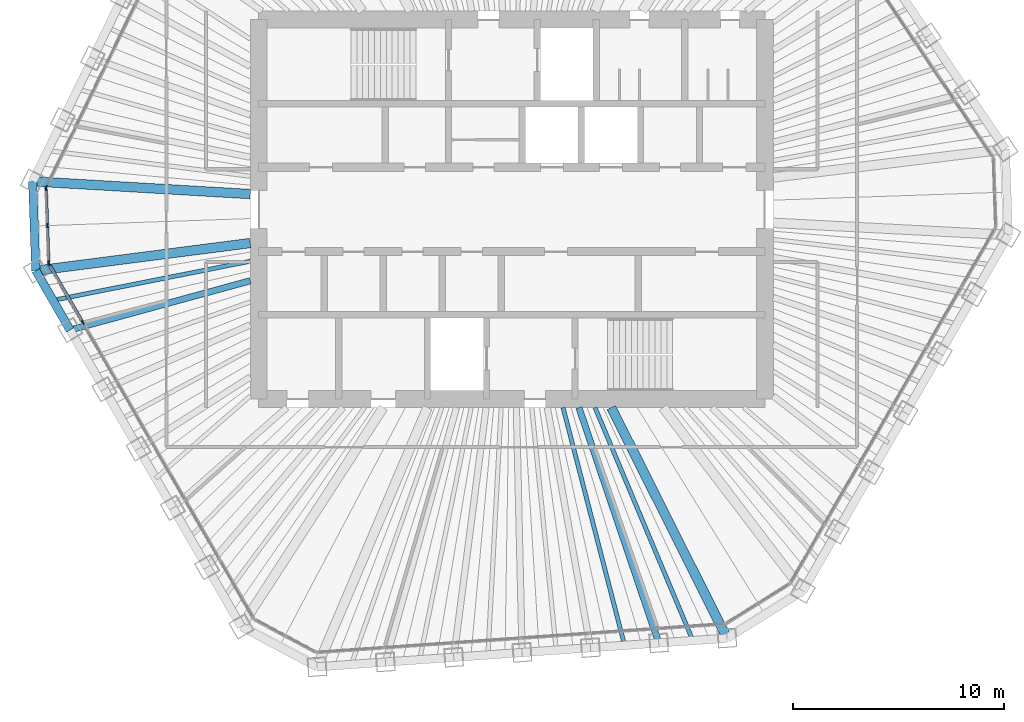
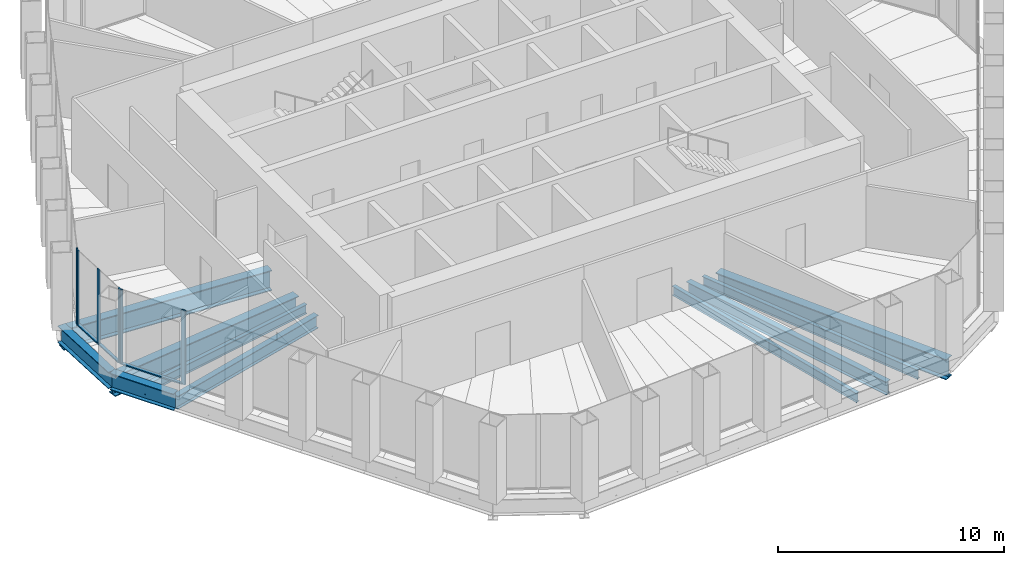
# One storey, part 3 of 14: 10 beams, 9 members, 3 elements without a shape of their own.
"""IFC4 building model written with IfcOpenShell, lengths in metres."""

from ifc_helpers import new_model, si_unit, direction, frame, origin, origin_2d, place, context, subcontext, project, spatial, rectangle, i_section, extrude, material, material_profile, profile_set, type_object, element, aggregate, save


model = new_model("IFC4")

# Units and contexts
model_context = context("Model", 3, precision=1e-05, world=origin(), true_north=direction((0.0, 1.0)))
body_context = subcontext(model_context, "Body", "Model", "MODEL_VIEW")
ifc_project = project(units=[si_unit("LENGTHUNIT", "METRE"), si_unit("AREAUNIT", "SQUARE_METRE"), si_unit("VOLUMEUNIT", "CUBIC_METRE"), si_unit("PLANEANGLEUNIT", "RADIAN"), si_unit("MASSUNIT", "GRAM", prefix="KILO")], contexts=[model_context])

# Site, building, storey
site_placement = place(None, origin())
site = spatial("IfcSite", under=ifc_project, at=site_placement, CompositionType="ELEMENT")
building_placement = place(site_placement, origin())
building = spatial("IfcBuilding", under=site, at=building_placement, Name="Qingtian Harvest Tower", CompositionType="ELEMENT")
storey_placement = place(building_placement, frame((0.0, 0.0, 320.800048828125)))
storey = spatial("IfcBuildingStorey", under=building, at=storey_placement, Name="L71", CompositionType="ELEMENT", Elevation=320.800048828125)

# Beams
ifc_material_1 = material(Name="Steel SM570MC", Category="steel")
ifc_material_profile_1 = material_profile(ifc_material_1, i_section(OverallWidth=0.449951171875, OverallDepth=1.10009765625, WebThickness=0.02197265625, FlangeThickness=0.044921875, at=origin_2d()), Name="H1100x450x22x45")
ifc_profile_set_1 = profile_set([ifc_material_profile_1], Name="Steel SM570MC")
beam_type_1 = type_object("IfcBeamType", Name="Corner floor beam FB8 H1100x450x22x45", PredefinedType="BEAM", material=ifc_profile_set_1)
beam_1_placement = place(storey_placement, frame((10.20947265625, -20.33740234375, -0.719970703125), z_axis=(-0.448649335107, 0.893707879627, 0.0), x_axis=(-0.893707879627, -0.448649335107, 0.0)))
element("IfcBeam", 1, at=beam_1_placement, inside=storey, type_object=beam_type_1, Name="Floor beam FB8 S0", PredefinedType="BEAM", context=body_context, shape_type="SweptSolid", body=[
    extrude(i_section(OverallWidth=0.449951171875, OverallDepth=1.10009765625, WebThickness=0.02197265625, FlangeThickness=0.044921875, at=origin_2d()), origin(), (0.0, 0.0, 1.0), 12.23828125),
])
beam_2_placement = place(storey_placement, frame((-22.569580078125, -2.908447265625, -0.719970703125), z_axis=(0.991798519758, 0.127811174026, 0.0), x_axis=(-0.127811174026, 0.991798519758, 0.0)))
element("IfcBeam", 2, at=beam_2_placement, inside=storey, type_object=beam_type_1, Name="Floor beam FB8 SW6", PredefinedType="BEAM", context=body_context, shape_type="SweptSolid", body=[
    extrude(i_section(OverallWidth=0.449951171875, OverallDepth=1.10009765625, WebThickness=0.02197265625, FlangeThickness=0.044921875, at=origin_2d()), origin(), (0.0, 0.0, 1.0), 10.253662109375),
])
beam_3_placement = place(storey_placement, frame((-22.71728515625, 1.3271484375, -0.719970703125), z_axis=(0.998297672445, -0.058324584791, 0.0), x_axis=(0.058324584791, 0.998297672445, 0.0)))
element("IfcBeam", 3, at=beam_3_placement, inside=storey, type_object=beam_type_1, Name="Floor beam FB8 NW0", PredefinedType="BEAM", context=body_context, shape_type="SweptSolid", body=[
    extrude(i_section(OverallWidth=0.449951171875, OverallDepth=1.10009765625, WebThickness=0.02197265625, FlangeThickness=0.044921875, at=origin_2d()), origin(), (0.0, 0.0, 1.0), 10.3349609375),
])
ifc_material_2 = material(Name="Steel SN490B", Category="steel")
ifc_material_profile_2 = material_profile(ifc_material_2, i_section(OverallWidth=0.300048828125, OverallDepth=0.699951171875, WebThickness=0.012939453125, FlangeThickness=0.02392578125, at=origin_2d()), Name="H700x300x13x24")
ifc_profile_set_2 = profile_set([ifc_material_profile_2], Name="Steel SN490B")
beam_type_2 = type_object("IfcBeamType", Name="Floor beam FB4 H700x300x13x24", PredefinedType="BEAM", material=ifc_profile_set_2)
beam_4_placement = place(storey_placement, frame((6.96923828125, -20.56396484375, -0.52001953125), z_axis=(-0.320964658262, 0.947091172035, 0.0), x_axis=(-0.947091172035, -0.320964658262, 0.0)))
element("IfcBeam", 4, at=beam_4_placement, inside=storey, type_object=beam_type_2, Name="Floor beam FB4 S1", PredefinedType="BEAM", context=body_context, shape_type="SweptSolid", body=[
    extrude(i_section(OverallWidth=0.300048828125, OverallDepth=0.699951171875, WebThickness=0.012939453125, FlangeThickness=0.02392578125, at=origin_2d()), origin(), (0.0, 0.0, 1.0), 11.787841796875),
])
beam_5_placement = place(storey_placement, frame((-20.945556640625, -5.721435546875, -0.52001953125), z_axis=(0.96466071762, 0.26349516102, 0.0), x_axis=(-0.26349516102, 0.96466071762, 0.0)))
element("IfcBeam", 5, at=beam_5_placement, inside=storey, type_object=beam_type_2, Name="Floor beam FB4 SW5", PredefinedType="BEAM", context=body_context, shape_type="SweptSolid", body=[
    extrude(i_section(OverallWidth=0.300048828125, OverallDepth=0.699951171875, WebThickness=0.012939453125, FlangeThickness=0.02392578125, at=origin_2d()), origin(), (0.0, 0.0, 1.0), 8.858642578125),
])
ifc_material_3 = material(Name="Steel SN490B", Category="steel")
ifc_material_profile_3 = material_profile(ifc_material_3, i_section(OverallWidth=0.199951171875, OverallDepth=0.5, WebThickness=0.010009765625, FlangeThickness=0.01611328125, at=origin_2d()), Name="H500x200x10x16")
ifc_profile_set_3 = profile_set([ifc_material_profile_3], Name="Steel SN490B")
beam_type_3 = type_object("IfcBeamType", Name="Floor joist J3 H500x200x10x16", PredefinedType="JOIST", material=ifc_profile_set_3)
beam_6_placement = place(storey_placement, frame((8.58935546875, -20.45068359375, -0.420166015625), z_axis=(-0.387234562114, 0.921981232946, 0.0), x_axis=(-0.921981232946, -0.387234562114, 0.0)))
element("IfcBeam", 6, at=beam_6_placement, inside=storey, type_object=beam_type_3, Name="Floor joist J3 S0", PredefinedType="JOIST", context=body_context, shape_type="SweptSolid", body=[
    extrude(i_section(OverallWidth=0.199951171875, OverallDepth=0.5, WebThickness=0.010009765625, FlangeThickness=0.01611328125, at=origin_2d()), origin(), (0.0, 0.0, 1.0), 11.98583984375),
])
beam_7_placement = place(storey_placement, frame((5.349365234375, -20.67724609375, -0.420166015625), z_axis=(-0.250457336117, 0.968127637652, 0.0), x_axis=(-0.968127637652, -0.250457336117, 0.0)))
element("IfcBeam", 7, at=beam_7_placement, inside=storey, type_object=beam_type_3, Name="Floor joist J3 S1", PredefinedType="JOIST", context=body_context, shape_type="SweptSolid", body=[
    extrude(i_section(OverallWidth=0.199951171875, OverallDepth=0.5, WebThickness=0.010009765625, FlangeThickness=0.01611328125, at=origin_2d()), origin(), (0.0, 0.0, 1.0), 11.648681640625),
])
beam_8_placement = place(storey_placement, frame((-21.757568359375, -4.31494140625, -0.420166015625), z_axis=(0.980898289228, 0.194521325796, 0.0), x_axis=(-0.194521325796, 0.980898289228, 0.0)))
element("IfcBeam", 8, at=beam_8_placement, inside=storey, type_object=beam_type_3, Name="Floor joist J3 SW5", PredefinedType="JOIST", context=body_context, shape_type="SweptSolid", body=[
    extrude(i_section(OverallWidth=0.199951171875, OverallDepth=0.5, WebThickness=0.010009765625, FlangeThickness=0.01611328125, at=origin_2d()), origin(), (0.0, 0.0, 1.0), 9.539794921875),
])

# Curtain wall, members
ifc_material_4 = material(Name="Bronze-anodised aluminium curtain wall", Category="aluminium")
curtain_wall_type = type_object("IfcCurtainWallType", Name="Curtain wall CW5 upper office", PredefinedType="USERDEFINED", material=ifc_material_4)
curtain_wall_1_placement = place(storey_placement, origin())
curtain_wall_1 = element("IfcCurtainWall", 9, at=curtain_wall_1_placement, inside=storey, type_object=curtain_wall_type, Name="Curtain wall CW5 L71 SW0-5", ObjectType="RECESSED CURTAIN WALL", PredefinedType="USERDEFINED")
ifc_material_5 = material(Name="Bronze-anodised aluminium mullion", Category="aluminium")
ifc_material_profile_4 = material_profile(ifc_material_5, rectangle(XDim=0.06494140625, YDim=0.199951171875, at=origin_2d()), Name="AL 65x200")
ifc_profile_set_4 = profile_set([ifc_material_profile_4], Name="Bronze-anodised aluminium mullion")
member_type_1 = type_object("IfcMemberType", Name="Mullion CWM 65x200", PredefinedType="MULLION", material=ifc_profile_set_4)
member_1_placement = place(storey_placement, frame((-20.33935546875, -5.371337890625, 0.0), z_axis=(0.0, 0.0, 1.0), x_axis=(-0.866025403784, -0.5, 0.0)))
member_1 = element("IfcMember", 10, at=member_1_placement, type_object=member_type_1, Name="CW5 mullion 6", PredefinedType="MULLION", context=body_context, shape_type="SweptSolid", body=[
    extrude(rectangle(XDim=0.06494140625, YDim=0.199951171875, at=origin_2d()), origin(), (0.0, 0.0, 1.0), 4.030029296875),
])
member_2_placement = place(storey_placement, frame((-21.947021484375, -2.586669921875, 0.0), z_axis=(0.0, 0.0, 1.0), x_axis=(-0.866025403784, -0.5, 0.0)))
member_2 = element("IfcMember", 11, at=member_2_placement, type_object=member_type_1, Name="CW5 mullion 7", PredefinedType="MULLION", context=body_context, shape_type="SweptSolid", body=[
    extrude(rectangle(XDim=0.06494140625, YDim=0.199951171875, at=origin_2d()), origin(), (0.0, 0.0, 1.0), 4.030029296875),
])

curtain_wall_2_placement = place(storey_placement, origin())
curtain_wall_2 = element("IfcCurtainWall", 12, at=curtain_wall_2_placement, inside=storey, type_object=curtain_wall_type, Name="Curtain wall CW5 L71 SWC", ObjectType="RECESSED CURTAIN WALL", PredefinedType="USERDEFINED")
member_3_placement = place(storey_placement, frame((-21.96435546875, -2.526123046875, 0.0), z_axis=(0.0, 0.0, 1.0), x_axis=(-0.999390827019, -0.034899496703, 0.0)))
member_3 = element("IfcMember", 13, at=member_3_placement, type_object=member_type_1, Name="CW5 mullion 1", PredefinedType="MULLION", context=body_context, shape_type="SweptSolid", body=[
    extrude(rectangle(XDim=0.06494140625, YDim=0.199951171875, at=origin_2d()), origin(), (0.0, 0.0, 1.0), 4.030029296875),
])
member_4_placement = place(storey_placement, frame((-22.025634765625, -0.76904296875, 0.0), z_axis=(0.0, 0.0, 1.0), x_axis=(-0.999390827019, -0.034899496703, 0.0)))
member_4 = element("IfcMember", 14, at=member_4_placement, type_object=member_type_1, Name="CW5 mullion 2", PredefinedType="MULLION", context=body_context, shape_type="SweptSolid", body=[
    extrude(rectangle(XDim=0.06494140625, YDim=0.199951171875, at=origin_2d()), origin(), (0.0, 0.0, 1.0), 4.030029296875),
])
member_5_placement = place(storey_placement, frame((-22.087158203125, 0.98779296875, 0.0), z_axis=(0.0, 0.0, 1.0), x_axis=(-0.999390827019, -0.034899496703, 0.0)))
member_5 = element("IfcMember", 15, at=member_5_placement, type_object=member_type_1, Name="CW5 mullion 3", PredefinedType="MULLION", context=body_context, shape_type="SweptSolid", body=[
    extrude(rectangle(XDim=0.06494140625, YDim=0.199951171875, at=origin_2d()), origin(), (0.0, 0.0, 1.0), 4.030029296875),
])

# Curtain wall, member
curtain_wall_3_placement = place(storey_placement, origin())
curtain_wall_3 = element("IfcCurtainWall", 16, at=curtain_wall_3_placement, inside=storey, type_object=curtain_wall_type, Name="Curtain wall CW5 L71 NW0-5", ObjectType="RECESSED CURTAIN WALL", PredefinedType="USERDEFINED")
member_6_placement = place(storey_placement, frame((-22.073974609375, 1.04931640625, 0.0), z_axis=(0.0, 0.0, 1.0), x_axis=(-0.898794046299, 0.438371146789, 0.0)))
member_6 = element("IfcMember", 17, at=member_6_placement, type_object=member_type_1, Name="CW5 mullion 1", PredefinedType="MULLION", context=body_context, shape_type="SweptSolid", body=[
    extrude(rectangle(XDim=0.06494140625, YDim=0.199951171875, at=origin_2d()), origin(), (0.0, 0.0, 1.0), 4.030029296875),
])
aggregate(curtain_wall_3, [member_6])

# Beams
ifc_material_6 = material(Name="Steel SN490B", Category="steel")
ifc_material_profile_5 = material_profile(ifc_material_6, i_section(OverallWidth=0.39990234375, OverallDepth=0.89990234375, WebThickness=0.01904296875, FlangeThickness=0.035888671875, at=origin_2d()), Name="H900x400x19x36")
ifc_profile_set_5 = profile_set([ifc_material_profile_5], Name="Steel SN490B")
beam_type_4 = type_object("IfcBeamType", Name="Spandrel beam SB4 H900x400x19x36", PredefinedType="SPANDREL", material=ifc_profile_set_5)
beam_9_placement = place(storey_placement, frame((-20.945556640625, -5.721435546875, -0.449951171875), z_axis=(-0.499987045439, 0.866032882975, 0.0), x_axis=(-0.866032882975, -0.499987045439, 0.0)))
element("IfcBeam", 18, at=beam_9_placement, inside=storey, type_object=beam_type_4, Name="Spandrel SB4 SW5", PredefinedType="SPANDREL", context=body_context, shape_type="SweptSolid", body=[
    extrude(i_section(OverallWidth=0.39990234375, OverallDepth=0.89990234375, WebThickness=0.01904296875, FlangeThickness=0.035888671875, at=origin_2d()), origin(), (0.0, 0.0, 1.0), 3.248046875),
])
beam_10_placement = place(storey_placement, frame((-22.569580078125, -2.908447265625, -0.449951171875), z_axis=(-0.034851142499, 0.999392514414, 0.0), x_axis=(-0.999392514414, -0.034851142499, 0.0)))
element("IfcBeam", 19, at=beam_10_placement, inside=storey, type_object=beam_type_4, Name="Spandrel SB4 SWC", PredefinedType="SPANDREL", context=body_context, shape_type="SweptSolid", body=[
    extrude(i_section(OverallWidth=0.39990234375, OverallDepth=0.89990234375, WebThickness=0.01904296875, FlangeThickness=0.035888671875, at=origin_2d()), origin(), (0.0, 0.0, 1.0), 4.23828125),
])

# Member
ifc_material_7 = material(Name="Bronze-anodised aluminium transom", Category="aluminium")
ifc_material_profile_6 = material_profile(ifc_material_7, rectangle(XDim=0.14990234375, YDim=0.06494140625, at=origin_2d()), Name="AL 65x150")
ifc_profile_set_6 = profile_set([ifc_material_profile_6], Name="Bronze-anodised aluminium transom")
member_type_2 = type_object("IfcMemberType", Name="Transom CWT 65x150", PredefinedType="USERDEFINED", material=ifc_profile_set_6)
member_7_placement = place(storey_placement, frame((-20.35546875, -5.34326171875, 0.032470703125), z_axis=(-0.499972881236, 0.866041060244, 0.0), x_axis=(-0.866041060244, -0.499972881236, 0.0)))
member_7 = element("IfcMember", 20, at=member_7_placement, type_object=member_type_2, Name="CW5 transom 6.1", ObjectType="TRANSOM", PredefinedType="USERDEFINED", context=body_context, shape_type="SweptSolid", body=[
    extrude(rectangle(XDim=0.14990234375, YDim=0.06494140625, at=origin_2d()), origin(), (0.0, 0.0, 1.0), 3.150634765625),
])

aggregate(curtain_wall_1, [member_1, member_2, member_7])

member_8_placement = place(storey_placement, frame((-21.965576171875, -2.49365234375, 0.032470703125), z_axis=(-0.034899362377, 0.99939083171, 0.0), x_axis=(-0.99939083171, -0.034899362377, 0.0)))
member_8 = element("IfcMember", 21, at=member_8_placement, type_object=member_type_2, Name="CW5 transom 1.1", ObjectType="TRANSOM", PredefinedType="USERDEFINED", context=body_context, shape_type="SweptSolid", body=[
    extrude(rectangle(XDim=0.14990234375, YDim=0.06494140625, at=origin_2d()), origin(), (0.0, 0.0, 1.0), 1.69287109375),
])

member_9_placement = place(storey_placement, frame((-22.02685546875, -0.736572265625, 0.032470703125), z_axis=(-0.034899362377, 0.99939083171, 0.0), x_axis=(-0.99939083171, -0.034899362377, 0.0)))
member_9 = element("IfcMember", 22, at=member_9_placement, type_object=member_type_2, Name="CW5 transom 2.1", ObjectType="TRANSOM", PredefinedType="USERDEFINED", context=body_context, shape_type="SweptSolid", body=[
    extrude(rectangle(XDim=0.14990234375, YDim=0.06494140625, at=origin_2d()), origin(), (0.0, 0.0, 1.0), 1.69287109375),
])

aggregate(curtain_wall_2, [member_3, member_4, member_5, member_8, member_9])

save(model, "model.ifc")
